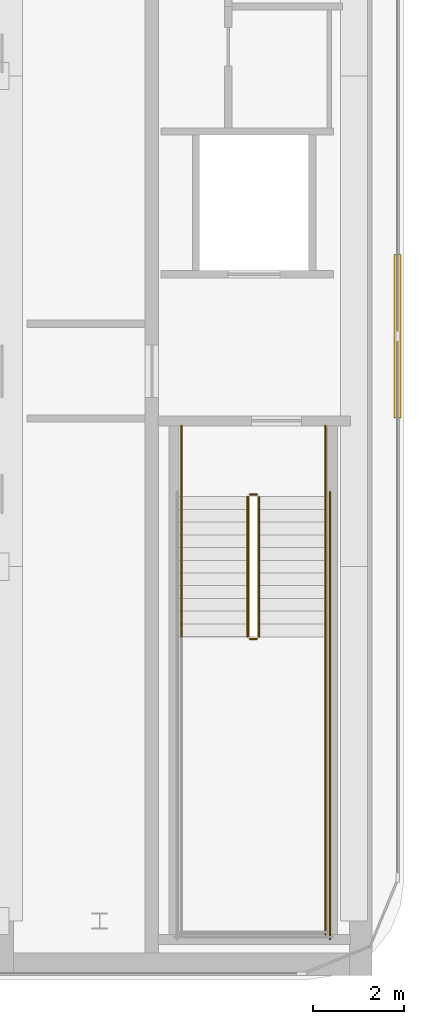
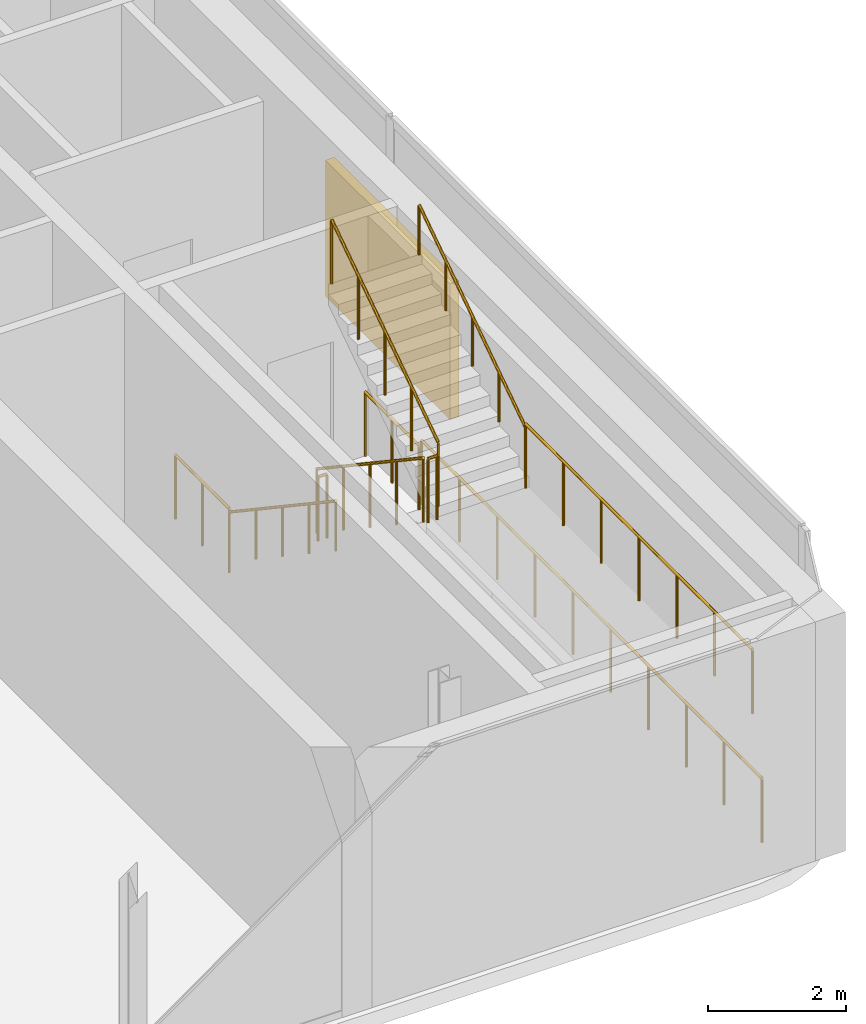
# One storey, part 14 of 15: 10 railings, 1 shading device.
"""IFC4 building model written with IfcOpenShell, lengths in metres."""

from ifc_helpers import new_model, si_unit, direction, frame, origin, origin_2d, place, context, subcontext, project, spatial, rectangle, circle, extrude, material, layer, layer_set, type_object, element, save


model = new_model("IFC4")

# Units and contexts
model_context = context("Model", 3, precision=1e-05, world=origin(), true_north=direction((0.0, 1.0)))
body_context = subcontext(model_context, "Body", "Model", "MODEL_VIEW")
ifc_project = project(units=[si_unit("LENGTHUNIT", "METRE"), si_unit("AREAUNIT", "SQUARE_METRE"), si_unit("VOLUMEUNIT", "CUBIC_METRE"), si_unit("PLANEANGLEUNIT", "RADIAN"), si_unit("MASSUNIT", "GRAM", prefix="KILO")], contexts=[model_context])

# Site, building, storey
site_placement = place(None, origin())
site = spatial("IfcSite", under=ifc_project, at=site_placement, CompositionType="ELEMENT")
building_placement = place(site_placement, origin())
building = spatial("IfcBuilding", under=site, at=building_placement, Name="Khairoan Windgate Tower", CompositionType="ELEMENT")
storey_placement = place(building_placement, frame((0.0, 0.0, 335.0)))
storey = spatial("IfcBuildingStorey", under=building, at=storey_placement, Name="L80", CompositionType="ELEMENT", Elevation=335.0)

# Shading device
ifc_material_1 = material(Name="Anodised Bronze Aluminium 6063-T6", Category="aluminium")
ifc_layer = layer(ifc_material_1, 0.14990234375, Name="Anodised Bronze Aluminium 6063-T6")
ifc_layer_set = layer_set([ifc_layer], Name="Anodised Bronze Aluminium 6063-T6")
shading_device_type = type_object("IfcShadingDeviceType", Name="Acoustic Bronze Plant Weather Louvre BWL-1", PredefinedType="JALOUSIE", material=ifc_layer_set)
shading_device_placement = place(storey_placement, frame((20.9599609375, -5.724365234375, 0.0), z_axis=(0.0, 0.0, 1.0), x_axis=(0.0, -1.0, 0.0)))
element("IfcShadingDevice", 1, at=shading_device_placement, inside=storey, type_object=shading_device_type, Name="L80 Acoustic Bronze Plant Louvre 7", PredefinedType="JALOUSIE", context=body_context, shape_type="SweptSolid", body=[
    extrude(rectangle(XDim=3.60009765625, YDim=0.14990234375, at=origin_2d()), origin(), (0.0, 0.0, 1.0), 2.39990234375),
])

# Railings
ifc_material_2 = material(Name="Anodised Bronze Aluminium 6063-T6", Category="aluminium")
railing_type_1 = type_object("IfcRailingType", Name="Stair Wall Handrail SHR-900", PredefinedType="HANDRAIL", material=ifc_material_2)
railing_1_placement = place(storey_placement, frame((16.199951171875, -9.260009765625, 0.1875)))
element("IfcRailing", 2, at=railing_1_placement, inside=storey, type_object=railing_type_1, Name="L80 ST1 stair handrail 1", PredefinedType="HANDRAIL", context=body_context, shape_type="SweptSolid", body=[
    extrude(circle(Radius=0.02392578125, at=origin_2d()), frame((0.0, 0.0, 0.8759765625), z_axis=(0.0, -0.830913701846, 0.55640131208), x_axis=(1.0, 0.0, 0.0)), (0.0, 0.0, 1.0), 3.706787109375),
    extrude(circle(Radius=0.02099609375, at=origin_2d()), origin(), (0.0, 0.0, 1.0), 0.851806640625),
    extrude(circle(Radius=0.02099609375, at=origin_2d()), frame((0.0, -0.77001953125, 0.515625)), (0.0, 0.0, 1.0), 0.851806640625),
    extrude(circle(Radius=0.02099609375, at=origin_2d()), frame((0.0, -1.5400390625, 1.03125)), (0.0, 0.0, 1.0), 0.851806640625),
    extrude(circle(Radius=0.02099609375, at=origin_2d()), frame((0.0, -2.31005859375, 1.546875)), (0.0, 0.0, 1.0), 0.851806640625),
    extrude(circle(Radius=0.02099609375, at=origin_2d()), frame((0.0, -3.080078125, 2.0625)), (0.0, 0.0, 1.0), 0.851806640625),
])
railing_2_placement = place(storey_placement, frame((19.3701171875, -12.340087890625, 2.4375)))
element("IfcRailing", 3, at=railing_2_placement, inside=storey, type_object=railing_type_1, Name="L80 ST1 stair handrail 2", PredefinedType="HANDRAIL", context=body_context, shape_type="SweptSolid", body=[
    extrude(circle(Radius=0.02392578125, at=origin_2d()), frame((0.0, 0.0, 0.8759765625), z_axis=(0.0, 0.830913701846, 0.55640131208), x_axis=(-1.0, 0.0, 0.0)), (0.0, 0.0, 1.0), 3.706787109375),
    extrude(circle(Radius=0.02099609375, at=origin_2d()), origin(), (0.0, 0.0, 1.0), 0.851806640625),
    extrude(circle(Radius=0.02099609375, at=origin_2d()), frame((0.0, 0.77001953125, 0.515625)), (0.0, 0.0, 1.0), 0.851806640625),
    extrude(circle(Radius=0.02099609375, at=origin_2d()), frame((0.0, 1.5400390625, 1.03125)), (0.0, 0.0, 1.0), 0.851806640625),
    extrude(circle(Radius=0.02099609375, at=origin_2d()), frame((0.0, 2.31005859375, 1.546875)), (0.0, 0.0, 1.0), 0.851806640625),
    extrude(circle(Radius=0.02099609375, at=origin_2d()), frame((0.0, 3.080078125, 2.0625)), (0.0, 0.0, 1.0), 0.851806640625),
])
ifc_material_3 = material(Name="Steel S355", Category="steel")
railing_type_2 = type_object("IfcRailingType", Name="Stairwell Safety Guardrail SGR-1150", PredefinedType="GUARDRAIL", material=ifc_material_3)
railing_3_placement = place(storey_placement, frame((17.659912109375, -9.260009765625, 0.1875)))
element("IfcRailing", 4, at=railing_3_placement, inside=storey, type_object=railing_type_2, Name="L80 ST1 stair guard 1", PredefinedType="GUARDRAIL", context=body_context, shape_type="SweptSolid", body=[
    extrude(circle(Radius=0.02392578125, at=origin_2d()), frame((0.0, 0.0, 1.1259765625), z_axis=(0.0, -0.830913701846, 0.55640131208), x_axis=(1.0, 0.0, 0.0)), (0.0, 0.0, 1.0), 3.706787109375),
    extrude(circle(Radius=0.02099609375, at=origin_2d()), origin(), (0.0, 0.0, 1.0), 1.101806640625),
    extrude(circle(Radius=0.02099609375, at=origin_2d()), frame((0.0, -0.77001953125, 0.515625)), (0.0, 0.0, 1.0), 1.101806640625),
    extrude(circle(Radius=0.02099609375, at=origin_2d()), frame((0.0, -1.5400390625, 1.03125)), (0.0, 0.0, 1.0), 1.101806640625),
    extrude(circle(Radius=0.02099609375, at=origin_2d()), frame((0.0, -2.31005859375, 1.546875)), (0.0, 0.0, 1.0), 1.101806640625),
    extrude(circle(Radius=0.02099609375, at=origin_2d()), frame((0.0, -3.080078125, 2.0625)), (0.0, 0.0, 1.0), 1.101806640625),
])
railing_4_placement = place(storey_placement, frame((17.7099609375, -12.389892578125, 2.25)))
element("IfcRailing", 5, at=railing_4_placement, inside=storey, type_object=railing_type_2, Name="L80 ST1 stair guard 2", PredefinedType="GUARDRAIL", context=body_context, shape_type="SweptSolid", body=[
    extrude(circle(Radius=0.02392578125, at=origin_2d()), frame((0.0, 0.0, 1.1259765625), z_axis=(1.0, 0.0, 0.0), x_axis=(0.0, 1.0, 0.0)), (0.0, 0.0, 1.0), 0.150146484375),
    extrude(circle(Radius=0.02099609375, at=origin_2d()), origin(), (0.0, 0.0, 1.0), 1.101806640625),
    extrude(circle(Radius=0.02099609375, at=origin_2d()), frame((0.150146484375, 0.0, 0.0)), (0.0, 0.0, 1.0), 1.101806640625),
])
railing_5_placement = place(storey_placement, frame((19.3701171875, -12.340087890625, 2.25)))
element("IfcRailing", 6, at=railing_5_placement, inside=storey, type_object=railing_type_2, Name="L80 ST1 stair guard 4", PredefinedType="GUARDRAIL", context=body_context, shape_type="SweptSolid", body=[
    extrude(circle(Radius=0.02392578125, at=origin_2d()), frame((0.0, 0.0, 1.1259765625), z_axis=(0.0, -1.0, 0.0), x_axis=(1.0, 0.0, 0.0)), (0.0, 0.0, 1.0), 6.559814453125),
    extrude(circle(Radius=0.02099609375, at=origin_2d()), origin(), (0.0, 0.0, 1.0), 1.101806640625),
    extrude(circle(Radius=0.02099609375, at=origin_2d()), frame((0.0, -1.09326171875, 0.0)), (0.0, 0.0, 1.0), 1.101806640625),
    extrude(circle(Radius=0.02099609375, at=origin_2d()), frame((0.0, -2.1865234375, 0.0)), (0.0, 0.0, 1.0), 1.101806640625),
    extrude(circle(Radius=0.02099609375, at=origin_2d()), frame((0.0, -3.27978515625, 0.0)), (0.0, 0.0, 1.0), 1.101806640625),
    extrude(circle(Radius=0.02099609375, at=origin_2d()), frame((0.0, -4.373291015625, 0.0)), (0.0, 0.0, 1.0), 1.101806640625),
    extrude(circle(Radius=0.02099609375, at=origin_2d()), frame((0.0, -5.466552734375, 0.0)), (0.0, 0.0, 1.0), 1.101806640625),
    extrude(circle(Radius=0.02099609375, at=origin_2d()), frame((0.0, -6.559814453125, 0.0)), (0.0, 0.0, 1.0), 1.101806640625),
])
railing_6_placement = place(storey_placement, frame((17.909912109375, -12.340087890625, 2.4375)))
element("IfcRailing", 7, at=railing_6_placement, inside=storey, type_object=railing_type_2, Name="L80 ST1 stair guard 6", PredefinedType="GUARDRAIL", context=body_context, shape_type="SweptSolid", body=[
    extrude(circle(Radius=0.02392578125, at=origin_2d()), frame((0.0, 0.0, 1.1259765625), z_axis=(0.0, 0.830913701846, 0.55640131208), x_axis=(-1.0, 0.0, 0.0)), (0.0, 0.0, 1.0), 3.706787109375),
    extrude(circle(Radius=0.02099609375, at=origin_2d()), origin(), (0.0, 0.0, 1.0), 1.101806640625),
    extrude(circle(Radius=0.02099609375, at=origin_2d()), frame((0.0, 0.77001953125, 0.515625)), (0.0, 0.0, 1.0), 1.101806640625),
    extrude(circle(Radius=0.02099609375, at=origin_2d()), frame((0.0, 1.5400390625, 1.03125)), (0.0, 0.0, 1.0), 1.101806640625),
    extrude(circle(Radius=0.02099609375, at=origin_2d()), frame((0.0, 2.31005859375, 1.546875)), (0.0, 0.0, 1.0), 1.101806640625),
    extrude(circle(Radius=0.02099609375, at=origin_2d()), frame((0.0, 3.080078125, 2.0625)), (0.0, 0.0, 1.0), 1.101806640625),
])
railing_7_placement = place(storey_placement, frame((17.7099609375, -9.2099609375, 0.0)))
element("IfcRailing", 8, at=railing_7_placement, inside=storey, type_object=railing_type_2, Name="L80 ST1 stair guard 7", PredefinedType="GUARDRAIL", context=body_context, shape_type="SweptSolid", body=[
    extrude(circle(Radius=0.02392578125, at=origin_2d()), frame((0.0, 0.0, 1.1259765625), z_axis=(1.0, 0.0, 0.0), x_axis=(0.0, 1.0, 0.0)), (0.0, 0.0, 1.0), 0.150146484375),
    extrude(circle(Radius=0.02099609375, at=origin_2d()), origin(), (0.0, 0.0, 1.0), 1.101806640625),
    extrude(circle(Radius=0.02099609375, at=origin_2d()), frame((0.150146484375, 0.0, 0.0)), (0.0, 0.0, 1.0), 1.101806640625),
])
for number, where, name in (
    (9, (16.199951171875, -7.699951171875, 0.0), "L80 ST1 stair guard 8"),
    (10, (19.3701171875, -7.699951171875, 0.0), "L80 ST1 stair guard 9"),
):
    element("IfcRailing", number, at=place(storey_placement, frame(where)), inside=storey, type_object=railing_type_2, Name=name, PredefinedType="GUARDRAIL", context=body_context, shape_type="SweptSolid", body=[
        extrude(circle(Radius=0.02392578125, at=origin_2d()), frame((0.0, 0.0, 1.1259765625), z_axis=(0.0, -1.0, 0.0), x_axis=(1.0, 0.0, 0.0)), (0.0, 0.0, 1.0), 1.56005859375),
        extrude(circle(Radius=0.02099609375, at=origin_2d()), origin(), (0.0, 0.0, 1.0), 1.101806640625),
        extrude(circle(Radius=0.02099609375, at=origin_2d()), frame((0.0, -0.780029296875, 0.0)), (0.0, 0.0, 1.0), 1.101806640625),
        extrude(circle(Radius=0.02099609375, at=origin_2d()), frame((0.0, -1.56005859375, 0.0)), (0.0, 0.0, 1.0), 1.101806640625),
    ])
railing_8_placement = place(storey_placement, frame((19.469970703125, -9.159912109375, 0.0)))
element("IfcRailing", 11, at=railing_8_placement, inside=storey, type_object=railing_type_2, Name="L80 ST1 stair guard 11", PredefinedType="GUARDRAIL", context=body_context, shape_type="SweptSolid", body=[
    extrude(circle(Radius=0.02392578125, at=origin_2d()), frame((0.0, 0.0, 1.1259765625), z_axis=(0.0, -1.0, 0.0), x_axis=(1.0, 0.0, 0.0)), (0.0, 0.0, 1.0), 9.840087890625),
    extrude(circle(Radius=0.02099609375, at=origin_2d()), origin(), (0.0, 0.0, 1.0), 1.101806640625),
    extrude(circle(Radius=0.02099609375, at=origin_2d()), frame((0.0, -1.09326171875, 0.0)), (0.0, 0.0, 1.0), 1.101806640625),
    extrude(circle(Radius=0.02099609375, at=origin_2d()), frame((0.0, -2.186767578125, 0.0)), (0.0, 0.0, 1.0), 1.101806640625),
    extrude(circle(Radius=0.02099609375, at=origin_2d()), frame((0.0, -3.280029296875, 0.0)), (0.0, 0.0, 1.0), 1.101806640625),
    extrude(circle(Radius=0.02099609375, at=origin_2d()), frame((0.0, -4.373291015625, 0.0)), (0.0, 0.0, 1.0), 1.101806640625),
    extrude(circle(Radius=0.02099609375, at=origin_2d()), frame((0.0, -5.466796875, 0.0)), (0.0, 0.0, 1.0), 1.101806640625),
    extrude(circle(Radius=0.02099609375, at=origin_2d()), frame((0.0, -6.56005859375, 0.0)), (0.0, 0.0, 1.0), 1.101806640625),
    extrude(circle(Radius=0.02099609375, at=origin_2d()), frame((0.0, -7.6533203125, 0.0)), (0.0, 0.0, 1.0), 1.101806640625),
    extrude(circle(Radius=0.02099609375, at=origin_2d()), frame((0.0, -8.746826171875, 0.0)), (0.0, 0.0, 1.0), 1.101806640625),
    extrude(circle(Radius=0.02099609375, at=origin_2d()), frame((0.0, -9.840087890625, 0.0)), (0.0, 0.0, 1.0), 1.101806640625),
])

save(model, "model.ifc")
